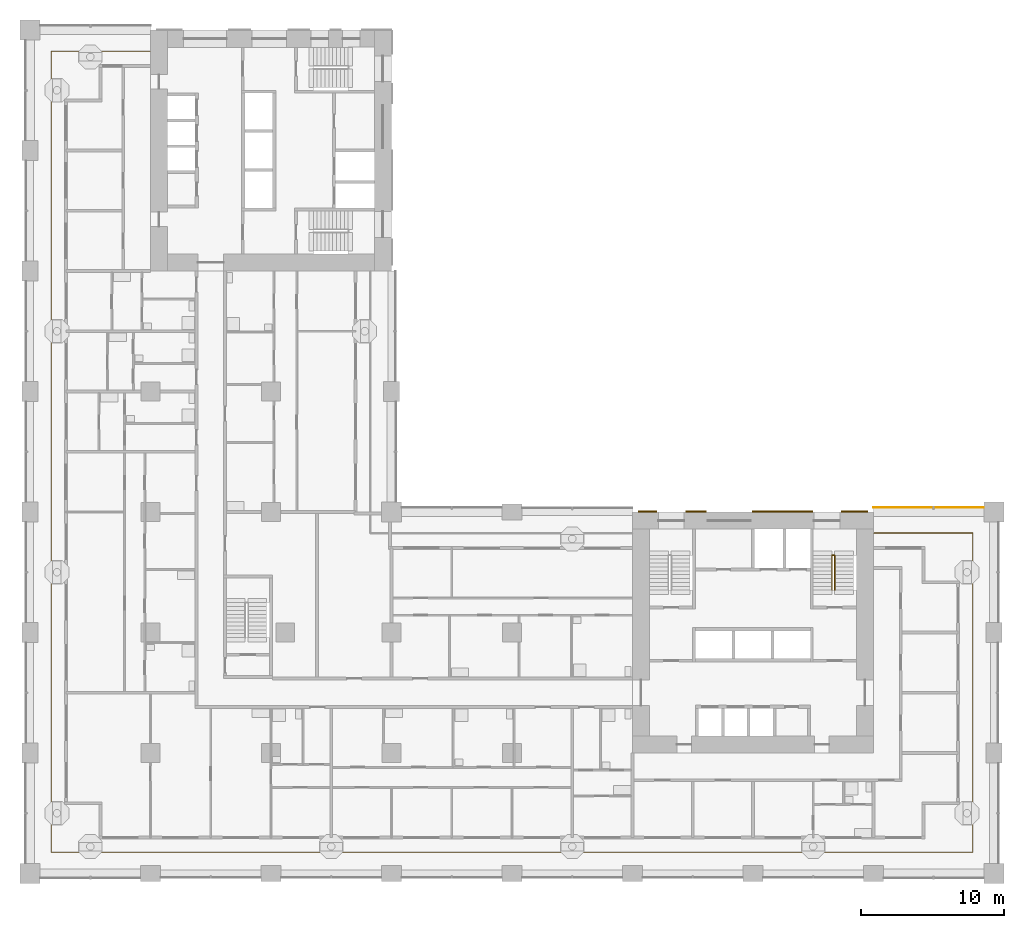
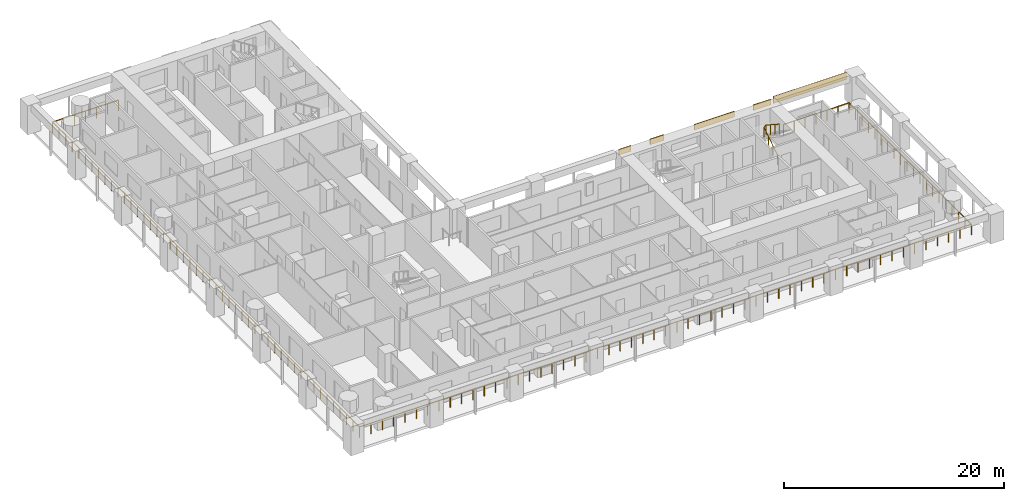
# One storey, part 12 of 19: 5 shading devices, 2 railings.
"""IFC4 building model written with IfcOpenShell, lengths in metres."""

from ifc_helpers import new_model, si_unit, direction, frame, origin, origin_2d, place, context, subcontext, project, spatial, rectangle, circle, extrude, material, layer, layer_set, type_object, element, save


model = new_model("IFC4")

# Units and contexts
model_context = context("Model", 3, precision=1e-05, world=origin(), true_north=direction((0.0, 1.0)))
body_context = subcontext(model_context, "Body", "Model", "MODEL_VIEW")
ifc_project = project(units=[si_unit("LENGTHUNIT", "METRE"), si_unit("AREAUNIT", "SQUARE_METRE"), si_unit("VOLUMEUNIT", "CUBIC_METRE"), si_unit("PLANEANGLEUNIT", "RADIAN"), si_unit("MASSUNIT", "GRAM", prefix="KILO")], contexts=[model_context])

# Site, building, storey
site_placement = place(None, origin())
site = spatial("IfcSite", under=ifc_project, at=site_placement, CompositionType="ELEMENT")
building_placement = place(site_placement, origin())
building = spatial("IfcBuilding", under=site, at=building_placement, Name="Vermilion Gate Residences", CompositionType="ELEMENT")
storey_placement = place(building_placement, frame((0.0, 0.0, 32.199951171875)))
storey = spatial("IfcBuildingStorey", under=building, at=storey_placement, Name="L06", CompositionType="ELEMENT", Elevation=32.199951171875)

# Railing
ifc_material_1 = material(Name="Stainless steel and toughened glass", Category="steel")
railing_type_1 = type_object("IfcRailingType", Name="LOGGIA GUARD STEEL AND GLASS 1200", PredefinedType="GUARDRAIL", material=ifc_material_1)
railing_1_placement = place(storey_placement, frame((8.3779296875, 57.324951171875, 0.0)))
element("IfcRailing", 1, at=railing_1_placement, inside=storey, type_object=railing_type_1, Name="Loggia guard", PredefinedType="GUARDRAIL", context=body_context, shape_type="SweptSolid", body=[
    extrude(circle(Radius=0.030029296875, at=origin_2d()), frame((0.0, 0.0, 1.169921875), z_axis=(-1.0, 0.0, 0.0), x_axis=(0.0, -1.0, 0.0)), (0.0, 0.0, 1.0), 6.90283203125),
    extrude(circle(Radius=0.030029296875, at=origin_2d()), frame((-6.90283203125, 0.0, 1.169921875), z_axis=(0.0, -1.0, 0.0), x_axis=(1.0, 0.0, 0.0)), (0.0, 0.0, 1.0), 55.849853515625),
    extrude(circle(Radius=0.030029296875, at=origin_2d()), frame((-6.90283203125, -55.849853515625, 1.169921875), z_axis=(1.0, 0.0, 0.0), x_axis=(0.0, 1.0, 0.0)), (0.0, 0.0, 1.0), 64.25),
    extrude(circle(Radius=0.030029296875, at=origin_2d()), frame((57.34716796875, -55.849853515625, 1.169921875), z_axis=(0.0, 1.0, 0.0), x_axis=(-1.0, 0.0, 0.0)), (0.0, 0.0, 1.0), 22.25),
    extrude(circle(Radius=0.030029296875, at=origin_2d()), frame((57.34716796875, -33.599853515625, 1.169921875), z_axis=(-1.0, 0.0, 0.0), x_axis=(0.0, -1.0, 0.0)), (0.0, 0.0, 1.0), 6.903076171875),
    extrude(circle(Radius=0.02490234375, at=origin_2d()), origin(), (0.0, 0.0, 1.0), 1.139892578125),
    extrude(circle(Radius=0.02490234375, at=origin_2d()), frame((-1.150390625, 0.0, 0.0)), (0.0, 0.0, 1.0), 1.139892578125),
    extrude(circle(Radius=0.02490234375, at=origin_2d()), frame((-2.301025390625, 0.0, 0.0)), (0.0, 0.0, 1.0), 1.139892578125),
    extrude(circle(Radius=0.02490234375, at=origin_2d()), frame((-3.451416015625, 0.0, 0.0)), (0.0, 0.0, 1.0), 1.139892578125),
    extrude(circle(Radius=0.02490234375, at=origin_2d()), frame((-4.601806640625, 0.0, 0.0)), (0.0, 0.0, 1.0), 1.139892578125),
    extrude(circle(Radius=0.02490234375, at=origin_2d()), frame((-5.75244140625, 0.0, 0.0)), (0.0, 0.0, 1.0), 1.139892578125),
    extrude(circle(Radius=0.02490234375, at=origin_2d()), frame((-6.90283203125, 0.0, 0.0)), (0.0, 0.0, 1.0), 1.139892578125),
    extrude(circle(Radius=0.02490234375, at=origin_2d()), frame((-6.90283203125, -1.188232421875, 0.0)), (0.0, 0.0, 1.0), 1.139892578125),
    extrude(circle(Radius=0.02490234375, at=origin_2d()), frame((-6.90283203125, -2.376708984375, 0.0)), (0.0, 0.0, 1.0), 1.139892578125),
    extrude(circle(Radius=0.02490234375, at=origin_2d()), frame((-6.90283203125, -3.56494140625, 0.0)), (0.0, 0.0, 1.0), 1.139892578125),
    extrude(circle(Radius=0.02490234375, at=origin_2d()), frame((-6.90283203125, -4.753173828125, 0.0)), (0.0, 0.0, 1.0), 1.139892578125),
    extrude(circle(Radius=0.02490234375, at=origin_2d()), frame((-6.90283203125, -5.94140625, 0.0)), (0.0, 0.0, 1.0), 1.139892578125),
    extrude(circle(Radius=0.02490234375, at=origin_2d()), frame((-6.90283203125, -7.1298828125, 0.0)), (0.0, 0.0, 1.0), 1.139892578125),
    extrude(circle(Radius=0.02490234375, at=origin_2d()), frame((-6.90283203125, -8.318115234375, 0.0)), (0.0, 0.0, 1.0), 1.139892578125),
    extrude(circle(Radius=0.02490234375, at=origin_2d()), frame((-6.90283203125, -9.50634765625, 0.0)), (0.0, 0.0, 1.0), 1.139892578125),
    extrude(circle(Radius=0.02490234375, at=origin_2d()), frame((-6.90283203125, -10.694580078125, 0.0)), (0.0, 0.0, 1.0), 1.139892578125),
    extrude(circle(Radius=0.02490234375, at=origin_2d()), frame((-6.90283203125, -11.883056640625, 0.0)), (0.0, 0.0, 1.0), 1.139892578125),
    extrude(circle(Radius=0.02490234375, at=origin_2d()), frame((-6.90283203125, -13.0712890625, 0.0)), (0.0, 0.0, 1.0), 1.139892578125),
    extrude(circle(Radius=0.02490234375, at=origin_2d()), frame((-6.90283203125, -14.259521484375, 0.0)), (0.0, 0.0, 1.0), 1.139892578125),
    extrude(circle(Radius=0.02490234375, at=origin_2d()), frame((-6.90283203125, -15.44775390625, 0.0)), (0.0, 0.0, 1.0), 1.139892578125),
    extrude(circle(Radius=0.02490234375, at=origin_2d()), frame((-6.90283203125, -16.63623046875, 0.0)), (0.0, 0.0, 1.0), 1.139892578125),
    extrude(circle(Radius=0.02490234375, at=origin_2d()), frame((-6.90283203125, -17.824462890625, 0.0)), (0.0, 0.0, 1.0), 1.139892578125),
    extrude(circle(Radius=0.02490234375, at=origin_2d()), frame((-6.90283203125, -19.0126953125, 0.0)), (0.0, 0.0, 1.0), 1.139892578125),
    extrude(circle(Radius=0.02490234375, at=origin_2d()), frame((-6.90283203125, -20.200927734375, 0.0)), (0.0, 0.0, 1.0), 1.139892578125),
    extrude(circle(Radius=0.02490234375, at=origin_2d()), frame((-6.90283203125, -21.389404296875, 0.0)), (0.0, 0.0, 1.0), 1.139892578125),
    extrude(circle(Radius=0.02490234375, at=origin_2d()), frame((-6.90283203125, -22.57763671875, 0.0)), (0.0, 0.0, 1.0), 1.139892578125),
    extrude(circle(Radius=0.02490234375, at=origin_2d()), frame((-6.90283203125, -23.765869140625, 0.0)), (0.0, 0.0, 1.0), 1.139892578125),
    extrude(circle(Radius=0.02490234375, at=origin_2d()), frame((-6.90283203125, -24.9541015625, 0.0)), (0.0, 0.0, 1.0), 1.139892578125),
    extrude(circle(Radius=0.02490234375, at=origin_2d()), frame((-6.90283203125, -26.142578125, 0.0)), (0.0, 0.0, 1.0), 1.139892578125),
    extrude(circle(Radius=0.02490234375, at=origin_2d()), frame((-6.90283203125, -27.330810546875, 0.0)), (0.0, 0.0, 1.0), 1.139892578125),
    extrude(circle(Radius=0.02490234375, at=origin_2d()), frame((-6.90283203125, -28.51904296875, 0.0)), (0.0, 0.0, 1.0), 1.139892578125),
    extrude(circle(Radius=0.02490234375, at=origin_2d()), frame((-6.90283203125, -29.707275390625, 0.0)), (0.0, 0.0, 1.0), 1.139892578125),
    extrude(circle(Radius=0.02490234375, at=origin_2d()), frame((-6.90283203125, -30.895751953125, 0.0)), (0.0, 0.0, 1.0), 1.139892578125),
    extrude(circle(Radius=0.02490234375, at=origin_2d()), frame((-6.90283203125, -32.083984375, 0.0)), (0.0, 0.0, 1.0), 1.139892578125),
    extrude(circle(Radius=0.02490234375, at=origin_2d()), frame((-6.90283203125, -33.272216796875, 0.0)), (0.0, 0.0, 1.0), 1.139892578125),
    extrude(circle(Radius=0.02490234375, at=origin_2d()), frame((-6.90283203125, -34.46044921875, 0.0)), (0.0, 0.0, 1.0), 1.139892578125),
    extrude(circle(Radius=0.02490234375, at=origin_2d()), frame((-6.90283203125, -35.64892578125, 0.0)), (0.0, 0.0, 1.0), 1.139892578125),
    extrude(circle(Radius=0.02490234375, at=origin_2d()), frame((-6.90283203125, -36.837158203125, 0.0)), (0.0, 0.0, 1.0), 1.139892578125),
    extrude(circle(Radius=0.02490234375, at=origin_2d()), frame((-6.90283203125, -38.025390625, 0.0)), (0.0, 0.0, 1.0), 1.139892578125),
    extrude(circle(Radius=0.02490234375, at=origin_2d()), frame((-6.90283203125, -39.213623046875, 0.0)), (0.0, 0.0, 1.0), 1.139892578125),
    extrude(circle(Radius=0.02490234375, at=origin_2d()), frame((-6.90283203125, -40.402099609375, 0.0)), (0.0, 0.0, 1.0), 1.139892578125),
    extrude(circle(Radius=0.02490234375, at=origin_2d()), frame((-6.90283203125, -41.59033203125, 0.0)), (0.0, 0.0, 1.0), 1.139892578125),
    extrude(circle(Radius=0.02490234375, at=origin_2d()), frame((-6.90283203125, -42.778564453125, 0.0)), (0.0, 0.0, 1.0), 1.139892578125),
    extrude(circle(Radius=0.02490234375, at=origin_2d()), frame((-6.90283203125, -43.966796875, 0.0)), (0.0, 0.0, 1.0), 1.139892578125),
    extrude(circle(Radius=0.02490234375, at=origin_2d()), frame((-6.90283203125, -45.1552734375, 0.0)), (0.0, 0.0, 1.0), 1.139892578125),
    extrude(circle(Radius=0.02490234375, at=origin_2d()), frame((-6.90283203125, -46.343505859375, 0.0)), (0.0, 0.0, 1.0), 1.139892578125),
    extrude(circle(Radius=0.02490234375, at=origin_2d()), frame((-6.90283203125, -47.53173828125, 0.0)), (0.0, 0.0, 1.0), 1.139892578125),
    extrude(circle(Radius=0.02490234375, at=origin_2d()), frame((-6.90283203125, -48.719970703125, 0.0)), (0.0, 0.0, 1.0), 1.139892578125),
    extrude(circle(Radius=0.02490234375, at=origin_2d()), frame((-6.90283203125, -49.908447265625, 0.0)), (0.0, 0.0, 1.0), 1.139892578125),
    extrude(circle(Radius=0.02490234375, at=origin_2d()), frame((-6.90283203125, -51.0966796875, 0.0)), (0.0, 0.0, 1.0), 1.139892578125),
    extrude(circle(Radius=0.02490234375, at=origin_2d()), frame((-6.90283203125, -52.284912109375, 0.0)), (0.0, 0.0, 1.0), 1.139892578125),
    extrude(circle(Radius=0.02490234375, at=origin_2d()), frame((-6.90283203125, -53.47314453125, 0.0)), (0.0, 0.0, 1.0), 1.139892578125),
    extrude(circle(Radius=0.02490234375, at=origin_2d()), frame((-6.90283203125, -54.66162109375, 0.0)), (0.0, 0.0, 1.0), 1.139892578125),
    extrude(circle(Radius=0.02490234375, at=origin_2d()), frame((-6.90283203125, -55.849853515625, 0.0)), (0.0, 0.0, 1.0), 1.139892578125),
    extrude(circle(Radius=0.02490234375, at=origin_2d()), frame((-5.713134765625, -55.849853515625, 0.0)), (0.0, 0.0, 1.0), 1.139892578125),
    extrude(circle(Radius=0.02490234375, at=origin_2d()), frame((-4.523193359375, -55.849853515625, 0.0)), (0.0, 0.0, 1.0), 1.139892578125),
    extrude(circle(Radius=0.02490234375, at=origin_2d()), frame((-3.33349609375, -55.849853515625, 0.0)), (0.0, 0.0, 1.0), 1.139892578125),
    extrude(circle(Radius=0.02490234375, at=origin_2d()), frame((-2.1435546875, -55.849853515625, 0.0)), (0.0, 0.0, 1.0), 1.139892578125),
    extrude(circle(Radius=0.02490234375, at=origin_2d()), frame((-0.953857421875, -55.849853515625, 0.0)), (0.0, 0.0, 1.0), 1.139892578125),
    extrude(circle(Radius=0.02490234375, at=origin_2d()), frame((0.236083984375, -55.849853515625, 0.0)), (0.0, 0.0, 1.0), 1.139892578125),
    extrude(circle(Radius=0.02490234375, at=origin_2d()), frame((1.42578125, -55.849853515625, 0.0)), (0.0, 0.0, 1.0), 1.139892578125),
    extrude(circle(Radius=0.02490234375, at=origin_2d()), frame((2.61572265625, -55.849853515625, 0.0)), (0.0, 0.0, 1.0), 1.139892578125),
    extrude(circle(Radius=0.02490234375, at=origin_2d()), frame((3.805419921875, -55.849853515625, 0.0)), (0.0, 0.0, 1.0), 1.139892578125),
    extrude(circle(Radius=0.02490234375, at=origin_2d()), frame((4.995361328125, -55.849853515625, 0.0)), (0.0, 0.0, 1.0), 1.139892578125),
    extrude(circle(Radius=0.02490234375, at=origin_2d()), frame((6.18505859375, -55.849853515625, 0.0)), (0.0, 0.0, 1.0), 1.139892578125),
    extrude(circle(Radius=0.02490234375, at=origin_2d()), frame((7.375, -55.849853515625, 0.0)), (0.0, 0.0, 1.0), 1.139892578125),
    extrude(circle(Radius=0.02490234375, at=origin_2d()), frame((8.564697265625, -55.849853515625, 0.0)), (0.0, 0.0, 1.0), 1.139892578125),
    extrude(circle(Radius=0.02490234375, at=origin_2d()), frame((9.754638671875, -55.849853515625, 0.0)), (0.0, 0.0, 1.0), 1.139892578125),
    extrude(circle(Radius=0.02490234375, at=origin_2d()), frame((10.9443359375, -55.849853515625, 0.0)), (0.0, 0.0, 1.0), 1.139892578125),
    extrude(circle(Radius=0.02490234375, at=origin_2d()), frame((12.13427734375, -55.849853515625, 0.0)), (0.0, 0.0, 1.0), 1.139892578125),
    extrude(circle(Radius=0.02490234375, at=origin_2d()), frame((13.323974609375, -55.849853515625, 0.0)), (0.0, 0.0, 1.0), 1.139892578125),
    extrude(circle(Radius=0.02490234375, at=origin_2d()), frame((14.513916015625, -55.849853515625, 0.0)), (0.0, 0.0, 1.0), 1.139892578125),
    extrude(circle(Radius=0.02490234375, at=origin_2d()), frame((15.70361328125, -55.849853515625, 0.0)), (0.0, 0.0, 1.0), 1.139892578125),
    extrude(circle(Radius=0.02490234375, at=origin_2d()), frame((16.8935546875, -55.849853515625, 0.0)), (0.0, 0.0, 1.0), 1.139892578125),
    extrude(circle(Radius=0.02490234375, at=origin_2d()), frame((18.083251953125, -55.849853515625, 0.0)), (0.0, 0.0, 1.0), 1.139892578125),
    extrude(circle(Radius=0.02490234375, at=origin_2d()), frame((19.273193359375, -55.849853515625, 0.0)), (0.0, 0.0, 1.0), 1.139892578125),
    extrude(circle(Radius=0.02490234375, at=origin_2d()), frame((20.462890625, -55.849853515625, 0.0)), (0.0, 0.0, 1.0), 1.139892578125),
    extrude(circle(Radius=0.02490234375, at=origin_2d()), frame((21.65283203125, -55.849853515625, 0.0)), (0.0, 0.0, 1.0), 1.139892578125),
    extrude(circle(Radius=0.02490234375, at=origin_2d()), frame((22.842529296875, -55.849853515625, 0.0)), (0.0, 0.0, 1.0), 1.139892578125),
    extrude(circle(Radius=0.02490234375, at=origin_2d()), frame((24.032470703125, -55.849853515625, 0.0)), (0.0, 0.0, 1.0), 1.139892578125),
    extrude(circle(Radius=0.02490234375, at=origin_2d()), frame((25.22216796875, -55.849853515625, 0.0)), (0.0, 0.0, 1.0), 1.139892578125),
    extrude(circle(Radius=0.02490234375, at=origin_2d()), frame((26.411865234375, -55.849853515625, 0.0)), (0.0, 0.0, 1.0), 1.139892578125),
    extrude(circle(Radius=0.02490234375, at=origin_2d()), frame((27.601806640625, -55.849853515625, 0.0)), (0.0, 0.0, 1.0), 1.139892578125),
    extrude(circle(Radius=0.02490234375, at=origin_2d()), frame((28.79150390625, -55.849853515625, 0.0)), (0.0, 0.0, 1.0), 1.139892578125),
    extrude(circle(Radius=0.02490234375, at=origin_2d()), frame((29.9814453125, -55.849853515625, 0.0)), (0.0, 0.0, 1.0), 1.139892578125),
    extrude(circle(Radius=0.02490234375, at=origin_2d()), frame((31.171142578125, -55.849853515625, 0.0)), (0.0, 0.0, 1.0), 1.139892578125),
    extrude(circle(Radius=0.02490234375, at=origin_2d()), frame((32.361083984375, -55.849853515625, 0.0)), (0.0, 0.0, 1.0), 1.139892578125),
    extrude(circle(Radius=0.02490234375, at=origin_2d()), frame((33.55078125, -55.849853515625, 0.0)), (0.0, 0.0, 1.0), 1.139892578125),
    extrude(circle(Radius=0.02490234375, at=origin_2d()), frame((34.74072265625, -55.849853515625, 0.0)), (0.0, 0.0, 1.0), 1.139892578125),
    extrude(circle(Radius=0.02490234375, at=origin_2d()), frame((35.930419921875, -55.849853515625, 0.0)), (0.0, 0.0, 1.0), 1.139892578125),
    extrude(circle(Radius=0.02490234375, at=origin_2d()), frame((37.120361328125, -55.849853515625, 0.0)), (0.0, 0.0, 1.0), 1.139892578125),
    extrude(circle(Radius=0.02490234375, at=origin_2d()), frame((38.31005859375, -55.849853515625, 0.0)), (0.0, 0.0, 1.0), 1.139892578125),
    extrude(circle(Radius=0.02490234375, at=origin_2d()), frame((39.5, -55.849853515625, 0.0)), (0.0, 0.0, 1.0), 1.139892578125),
    extrude(circle(Radius=0.02490234375, at=origin_2d()), frame((40.689697265625, -55.849853515625, 0.0)), (0.0, 0.0, 1.0), 1.139892578125),
    extrude(circle(Radius=0.02490234375, at=origin_2d()), frame((41.879638671875, -55.849853515625, 0.0)), (0.0, 0.0, 1.0), 1.139892578125),
    extrude(circle(Radius=0.02490234375, at=origin_2d()), frame((43.0693359375, -55.849853515625, 0.0)), (0.0, 0.0, 1.0), 1.139892578125),
    extrude(circle(Radius=0.02490234375, at=origin_2d()), frame((44.25927734375, -55.849853515625, 0.0)), (0.0, 0.0, 1.0), 1.139892578125),
    extrude(circle(Radius=0.02490234375, at=origin_2d()), frame((45.448974609375, -55.849853515625, 0.0)), (0.0, 0.0, 1.0), 1.139892578125),
    extrude(circle(Radius=0.02490234375, at=origin_2d()), frame((46.638916015625, -55.849853515625, 0.0)), (0.0, 0.0, 1.0), 1.139892578125),
    extrude(circle(Radius=0.02490234375, at=origin_2d()), frame((47.82861328125, -55.849853515625, 0.0)), (0.0, 0.0, 1.0), 1.139892578125),
    extrude(circle(Radius=0.02490234375, at=origin_2d()), frame((49.0185546875, -55.849853515625, 0.0)), (0.0, 0.0, 1.0), 1.139892578125),
    extrude(circle(Radius=0.02490234375, at=origin_2d()), frame((50.208251953125, -55.849853515625, 0.0)), (0.0, 0.0, 1.0), 1.139892578125),
    extrude(circle(Radius=0.02490234375, at=origin_2d()), frame((51.398193359375, -55.849853515625, 0.0)), (0.0, 0.0, 1.0), 1.139892578125),
    extrude(circle(Radius=0.02490234375, at=origin_2d()), frame((52.587890625, -55.849853515625, 0.0)), (0.0, 0.0, 1.0), 1.139892578125),
    extrude(circle(Radius=0.02490234375, at=origin_2d()), frame((53.77783203125, -55.849853515625, 0.0)), (0.0, 0.0, 1.0), 1.139892578125),
    extrude(circle(Radius=0.02490234375, at=origin_2d()), frame((54.967529296875, -55.849853515625, 0.0)), (0.0, 0.0, 1.0), 1.139892578125),
    extrude(circle(Radius=0.02490234375, at=origin_2d()), frame((56.157470703125, -55.849853515625, 0.0)), (0.0, 0.0, 1.0), 1.139892578125),
    extrude(circle(Radius=0.02490234375, at=origin_2d()), frame((57.34716796875, -55.849853515625, 0.0)), (0.0, 0.0, 1.0), 1.139892578125),
    extrude(circle(Radius=0.02490234375, at=origin_2d()), frame((57.34716796875, -54.6787109375, 0.0)), (0.0, 0.0, 1.0), 1.139892578125),
    extrude(circle(Radius=0.02490234375, at=origin_2d()), frame((57.34716796875, -53.5078125, 0.0)), (0.0, 0.0, 1.0), 1.139892578125),
    extrude(circle(Radius=0.02490234375, at=origin_2d()), frame((57.34716796875, -52.336669921875, 0.0)), (0.0, 0.0, 1.0), 1.139892578125),
    extrude(circle(Radius=0.02490234375, at=origin_2d()), frame((57.34716796875, -51.16552734375, 0.0)), (0.0, 0.0, 1.0), 1.139892578125),
    extrude(circle(Radius=0.02490234375, at=origin_2d()), frame((57.34716796875, -49.99462890625, 0.0)), (0.0, 0.0, 1.0), 1.139892578125),
    extrude(circle(Radius=0.02490234375, at=origin_2d()), frame((57.34716796875, -48.823486328125, 0.0)), (0.0, 0.0, 1.0), 1.139892578125),
    extrude(circle(Radius=0.02490234375, at=origin_2d()), frame((57.34716796875, -47.652587890625, 0.0)), (0.0, 0.0, 1.0), 1.139892578125),
    extrude(circle(Radius=0.02490234375, at=origin_2d()), frame((57.34716796875, -46.4814453125, 0.0)), (0.0, 0.0, 1.0), 1.139892578125),
    extrude(circle(Radius=0.02490234375, at=origin_2d()), frame((57.34716796875, -45.310302734375, 0.0)), (0.0, 0.0, 1.0), 1.139892578125),
    extrude(circle(Radius=0.02490234375, at=origin_2d()), frame((57.34716796875, -44.139404296875, 0.0)), (0.0, 0.0, 1.0), 1.139892578125),
    extrude(circle(Radius=0.02490234375, at=origin_2d()), frame((57.34716796875, -42.96826171875, 0.0)), (0.0, 0.0, 1.0), 1.139892578125),
    extrude(circle(Radius=0.02490234375, at=origin_2d()), frame((57.34716796875, -41.797119140625, 0.0)), (0.0, 0.0, 1.0), 1.139892578125),
    extrude(circle(Radius=0.02490234375, at=origin_2d()), frame((57.34716796875, -40.626220703125, 0.0)), (0.0, 0.0, 1.0), 1.139892578125),
    extrude(circle(Radius=0.02490234375, at=origin_2d()), frame((57.34716796875, -39.455078125, 0.0)), (0.0, 0.0, 1.0), 1.139892578125),
    extrude(circle(Radius=0.02490234375, at=origin_2d()), frame((57.34716796875, -38.2841796875, 0.0)), (0.0, 0.0, 1.0), 1.139892578125),
    extrude(circle(Radius=0.02490234375, at=origin_2d()), frame((57.34716796875, -37.113037109375, 0.0)), (0.0, 0.0, 1.0), 1.139892578125),
    extrude(circle(Radius=0.02490234375, at=origin_2d()), frame((57.34716796875, -35.94189453125, 0.0)), (0.0, 0.0, 1.0), 1.139892578125),
    extrude(circle(Radius=0.02490234375, at=origin_2d()), frame((57.34716796875, -34.77099609375, 0.0)), (0.0, 0.0, 1.0), 1.139892578125),
    extrude(circle(Radius=0.02490234375, at=origin_2d()), frame((57.34716796875, -33.599853515625, 0.0)), (0.0, 0.0, 1.0), 1.139892578125),
    extrude(circle(Radius=0.02490234375, at=origin_2d()), frame((56.19677734375, -33.599853515625, 0.0)), (0.0, 0.0, 1.0), 1.139892578125),
    extrude(circle(Radius=0.02490234375, at=origin_2d()), frame((55.046142578125, -33.599853515625, 0.0)), (0.0, 0.0, 1.0), 1.139892578125),
    extrude(circle(Radius=0.02490234375, at=origin_2d()), frame((53.8955078125, -33.599853515625, 0.0)), (0.0, 0.0, 1.0), 1.139892578125),
    extrude(circle(Radius=0.02490234375, at=origin_2d()), frame((52.7451171875, -33.599853515625, 0.0)), (0.0, 0.0, 1.0), 1.139892578125),
    extrude(circle(Radius=0.02490234375, at=origin_2d()), frame((51.5947265625, -33.599853515625, 0.0)), (0.0, 0.0, 1.0), 1.139892578125),
    extrude(circle(Radius=0.02490234375, at=origin_2d()), frame((50.444091796875, -33.599853515625, 0.0)), (0.0, 0.0, 1.0), 1.139892578125),
])

# Shading device
ifc_material_2 = material(Name="Perforated terracotta", Category="masonry")
ifc_layer_1 = layer(ifc_material_2, 0.0400390625)
ifc_layer_set_1 = layer_set([ifc_layer_1], Name="PERFORATED TERRACOTTA SCREEN 40")
shading_device_type_1 = type_object("IfcShadingDeviceType", Name="PERFORATED TERRACOTTA SCREEN 40", PredefinedType="SHUTTER", material=ifc_layer_set_1)
shading_device_1_placement = place(storey_placement, frame((62.64990234375, 25.52001953125, 2.419921875), z_axis=(0.0, 0.0, 1.0), x_axis=(-1.0, 0.0, 0.0)))
element("IfcShadingDevice", 2, at=shading_device_1_placement, inside=storey, type_object=shading_device_type_1, Name="SCREEN", PredefinedType="SHUTTER", context=body_context, shape_type="SweptSolid", body=[
    extrude(rectangle(XDim=7.699951171875, YDim=0.0400390625, at=origin_2d()), origin(), (0.0, 0.0, 1.0), 0.800048828125),
])

# Railing
ifc_material_3 = material(Name="Steel S355", Category="steel")
railing_type_2 = type_object("IfcRailingType", Name="STAIR GUARD 1100 STEEL", PredefinedType="GUARDRAIL", material=ifc_material_3)
railing_2_placement = place(storey_placement, frame((55.89990234375, 19.75, 0.175048828125)))
element("IfcRailing", 3, at=railing_2_placement, inside=storey, type_object=railing_type_2, Name="Stair well guard STA2-06", PredefinedType="GUARDRAIL", context=body_context, shape_type="SweptSolid", body=[
    extrude(circle(Radius=0.02392578125, at=origin_2d()), frame((0.0, 0.0, 1.076171875), z_axis=(0.0, 0.839153699163, 0.543894354798), x_axis=(-1.0, 0.0, 0.0)), (0.0, 0.0, 1.0), 2.895751953125),
    extrude(circle(Radius=0.02392578125, at=origin_2d()), frame((0.0, 2.429931640625, 2.65087890625), z_axis=(0.752804132164, 0.0, 0.658244588734), x_axis=(0.0, 1.0, 0.0)), (0.0, 0.0, 1.0), 0.265869140625),
    extrude(circle(Radius=0.02392578125, at=origin_2d()), frame((0.2001953125, 2.429931640625, 2.826171875), z_axis=(0.0, -0.839153699163, 0.543894354798), x_axis=(1.0, 0.0, 0.0)), (0.0, 0.0, 1.0), 2.895751953125),
    extrude(circle(Radius=0.02099609375, at=origin_2d()), origin(), (0.0, 0.0, 1.0), 1.052001953125),
    extrude(circle(Radius=0.02099609375, at=origin_2d()), frame((0.0, 0.81005859375, 0.52490234375)), (0.0, 0.0, 1.0), 1.052001953125),
    extrude(circle(Radius=0.02099609375, at=origin_2d()), frame((0.0, 1.619873046875, 1.050048828125)), (0.0, 0.0, 1.0), 1.052001953125),
    extrude(circle(Radius=0.02099609375, at=origin_2d()), frame((0.0, 2.429931640625, 1.574951171875)), (0.0, 0.0, 1.0), 1.052001953125),
    extrude(circle(Radius=0.02099609375, at=origin_2d()), frame((0.2001953125, 2.429931640625, 1.75)), (0.0, 0.0, 1.0), 1.052001953125),
    extrude(circle(Radius=0.02099609375, at=origin_2d()), frame((0.2001953125, 1.619873046875, 2.27490234375)), (0.0, 0.0, 1.0), 1.052001953125),
    extrude(circle(Radius=0.02099609375, at=origin_2d()), frame((0.2001953125, 0.81005859375, 2.800048828125)), (0.0, 0.0, 1.0), 1.052001953125),
    extrude(circle(Radius=0.02099609375, at=origin_2d()), frame((0.2001953125, 0.0, 3.324951171875)), (0.0, 0.0, 1.0), 1.052001953125),
])

# Shading devices
ifc_material_4 = material(Name="Extruded terracotta", Category="masonry")
ifc_layer_2 = layer(ifc_material_4, 0.10009765625)
ifc_layer_set_2 = layer_set([ifc_layer_2], Name="TERRACOTTA SPANDREL BAND 600 X 100")
shading_device_type_2 = type_object("IfcShadingDeviceType", Name="TERRACOTTA SPANDREL BAND 600 X 100", PredefinedType="USERDEFINED", material=ifc_layer_set_2)
shading_device_2_placement = place(storey_placement, frame((43.050048828125, 25.25, 2.6201171875), z_axis=(0.0, 0.0, 1.0), x_axis=(1.0, 0.0, 0.0)))
element("IfcShadingDevice", 4, at=shading_device_2_placement, inside=storey, type_object=shading_device_type_2, Name="SPANDREL BAND", ObjectType="BAND", PredefinedType="USERDEFINED", context=body_context, shape_type="SweptSolid", body=[
    extrude(rectangle(XDim=1.300048828125, YDim=0.10009765625, at=origin_2d()), origin(), (0.0, 0.0, 1.0), 0.60009765625),
])
shading_device_3_placement = place(storey_placement, frame((46.425048828125, 25.25, 2.6201171875), z_axis=(0.0, 0.0, 1.0), x_axis=(1.0, 0.0, 0.0)))
element("IfcShadingDevice", 5, at=shading_device_3_placement, inside=storey, type_object=shading_device_type_2, Name="SPANDREL BAND", ObjectType="BAND", PredefinedType="USERDEFINED", context=body_context, shape_type="SweptSolid", body=[
    extrude(rectangle(XDim=1.449951171875, YDim=0.10009765625, at=origin_2d()), origin(), (0.0, 0.0, 1.0), 0.60009765625),
])
shading_device_4_placement = place(storey_placement, frame((52.449951171875, 25.25, 2.6201171875), z_axis=(0.0, 0.0, 1.0), x_axis=(1.0, 0.0, 0.0)))
element("IfcShadingDevice", 6, at=shading_device_4_placement, inside=storey, type_object=shading_device_type_2, Name="SPANDREL BAND", ObjectType="BAND", PredefinedType="USERDEFINED", context=body_context, shape_type="SweptSolid", body=[
    extrude(rectangle(XDim=4.199951171875, YDim=0.10009765625, at=origin_2d()), origin(), (0.0, 0.0, 1.0), 0.60009765625),
])
shading_device_5_placement = place(storey_placement, frame((57.47509765625, 25.25, 2.6201171875), z_axis=(0.0, 0.0, 1.0), x_axis=(1.0, 0.0, 0.0)))
element("IfcShadingDevice", 7, at=shading_device_5_placement, inside=storey, type_object=shading_device_type_2, Name="SPANDREL BAND", ObjectType="BAND", PredefinedType="USERDEFINED", context=body_context, shape_type="SweptSolid", body=[
    extrude(rectangle(XDim=1.85009765625, YDim=0.10009765625, at=origin_2d()), origin(), (0.0, 0.0, 1.0), 0.60009765625),
])

save(model, "model.ifc")
